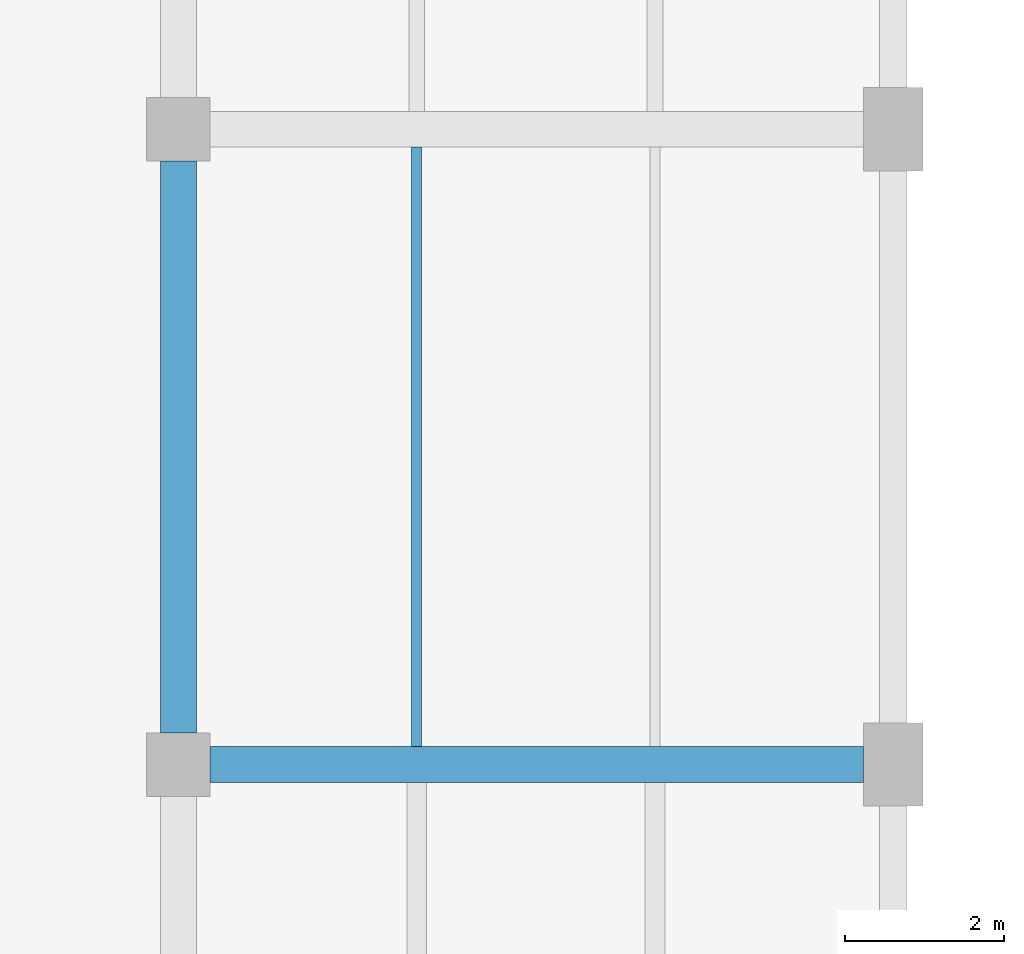
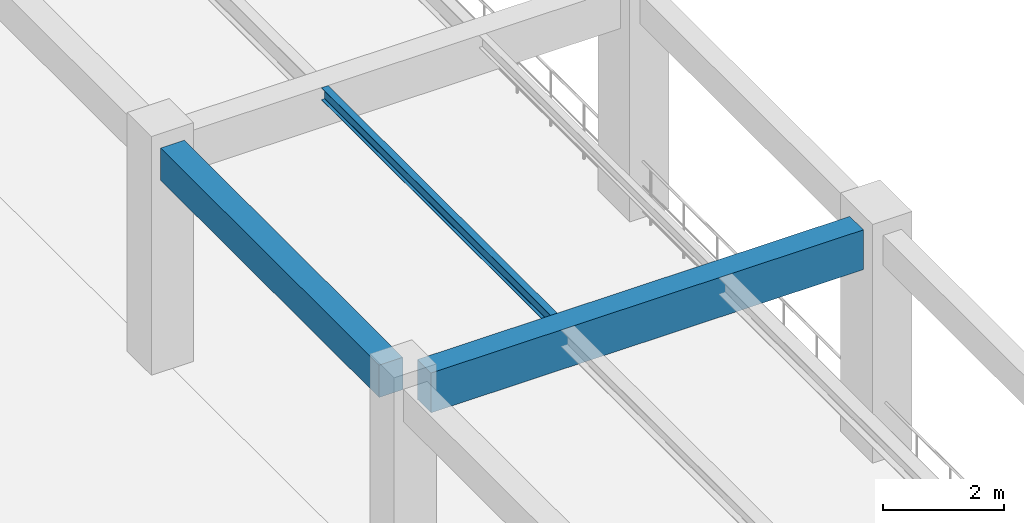
# One storey, part 39 of 178: 3 beams.
"""IFC4 building model written with IfcOpenShell, lengths in metres."""

from ifc_helpers import new_model, si_unit, derived_unit, direction, frame, origin, origin_2d, place, context, subcontext, project, spatial, rectangle, i_section, extrude, material, material_profile, profile_set, type_object, element, save


model = new_model("IFC4")

# Units and contexts
model_context = context("Model", 3, precision=1e-05, world=origin(), true_north=direction((0.0, 1.0)))
body_context = subcontext(model_context, "Body", "Model", "MODEL_VIEW")
ifc_project = project(units=[si_unit("LENGTHUNIT", "METRE"), si_unit("AREAUNIT", "SQUARE_METRE"), si_unit("VOLUMEUNIT", "CUBIC_METRE"), si_unit("PLANEANGLEUNIT", "RADIAN"), si_unit("MASSUNIT", "GRAM", prefix="KILO"), derived_unit("THERMALTRANSMITTANCEUNIT", [(si_unit("MASSUNIT", "GRAM", prefix="KILO"), 1), (si_unit("TIMEUNIT", "SECOND"), -3), (si_unit("THERMODYNAMICTEMPERATUREUNIT", "KELVIN"), -1)])], contexts=[model_context])

# Site, building, storey
site_placement = place(None, origin())
site = spatial("IfcSite", under=ifc_project, at=site_placement, CompositionType="ELEMENT")
building_placement = place(site_placement, origin())
building = spatial("IfcBuilding", under=site, at=building_placement, Name="Zhenchuan Archway Interchange", CompositionType="ELEMENT")
storey_placement = place(building_placement, frame((0.0, 0.0, 5.39990234375)))
storey = spatial("IfcBuildingStorey", under=building, at=storey_placement, Name="L01", CompositionType="ELEMENT", Elevation=5.39990234375)

# Beams
ifc_material_1 = material(Name="Concrete C40", Category="concrete")
ifc_material_profile_1 = material_profile(ifc_material_1, rectangle(XDim=0.449951171875, YDim=0.64990234375, at=origin_2d()), Name="RC 450x650")
ifc_profile_set_1 = profile_set([ifc_material_profile_1], Name="Concrete C40")
beam_type_1 = type_object("IfcBeamType", Name="BM_RC_450x650", PredefinedType="BEAM", material=ifc_profile_set_1)
beam_1_placement = place(storey_placement, frame((27.0, 40.39990234375, 4.18505859375), z_axis=(0.0, 1.0, 0.0), x_axis=(-1.0, 0.0, 0.0)))
element("IfcBeam", 1, at=beam_1_placement, inside=storey, type_object=beam_type_1, Name="Beam 4:F-G (L01)", PredefinedType="BEAM", context=body_context, shape_type="SweptSolid", body=[
    extrude(rectangle(XDim=0.449951171875, YDim=0.64990234375, at=origin_2d()), origin(), (0.0, 0.0, 1.0), 7.2001953125),
])
ifc_material_profile_2 = material_profile(ifc_material_1, rectangle(XDim=0.449951171875, YDim=0.800048828125, at=origin_2d()), Name="RC 450x800")
ifc_profile_set_2 = profile_set([ifc_material_profile_2], Name="Concrete C40")
beam_type_2 = type_object("IfcBeamType", Name="BM_RC_450x800", PredefinedType="BEAM", material=ifc_profile_set_2)
beam_2_placement = place(storey_placement, frame((27.39990234375, 40.0, 4.110107421875), z_axis=(1.0, 0.0, 0.0), x_axis=(0.0, 1.0, 0.0)))
element("IfcBeam", 2, at=beam_2_placement, inside=storey, type_object=beam_type_2, Name="Beam F:4-5 (L01)", PredefinedType="BEAM", context=body_context, shape_type="SweptSolid", body=[
    extrude(rectangle(XDim=0.449951171875, YDim=0.800048828125, at=origin_2d()), origin(), (0.0, 0.0, 1.0), 8.22509765625),
])
ifc_material_2 = material(Name="Steel Q355", Category="steel")
ifc_material_profile_3 = material_profile(ifc_material_2, i_section(OverallWidth=0.125, OverallDepth=0.25, WebThickness=0.006103515625, FlangeThickness=0.009033203125, FilletRadius=0.011962890625, at=origin_2d()), Name="HN 250x125")
ifc_profile_set_3 = profile_set([ifc_material_profile_3], Name="Steel Q355")
beam_type_3 = type_object("IfcBeamType", Name="JST_STL_HN250", PredefinedType="JOIST", material=ifc_profile_set_3)
beam_3_placement = place(storey_placement, frame((30.0, 40.22509765625, 4.385009765625), z_axis=(0.0, 1.0, 0.0), x_axis=(-1.0, 0.0, 0.0)))
element("IfcBeam", 3, at=beam_3_placement, inside=storey, type_object=beam_type_3, Name="Secondary joist 4-5/F-G #1 (L01)", PredefinedType="JOIST", context=body_context, shape_type="SweptSolid", body=[
    extrude(i_section(OverallWidth=0.125, OverallDepth=0.25, WebThickness=0.006103515625, FlangeThickness=0.009033203125, FilletRadius=0.011962890625, at=origin_2d()), origin(), (0.0, 0.0, 1.0), 7.5498046875),
])

save(model, "model.ifc")
